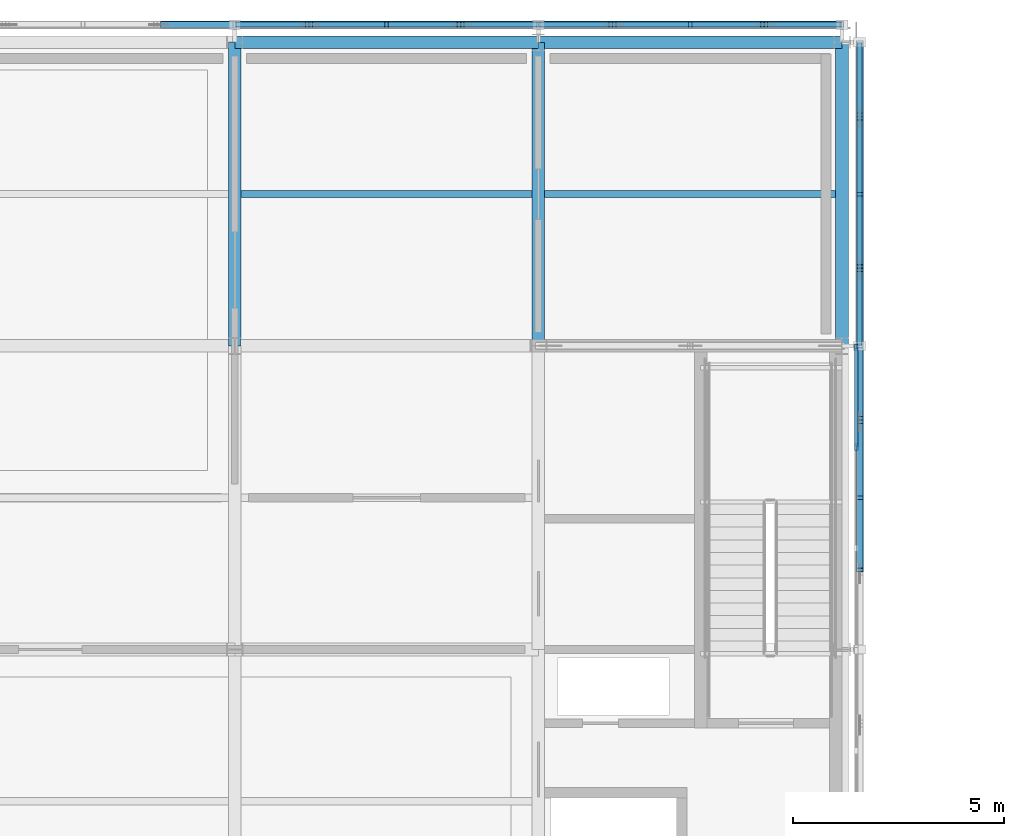
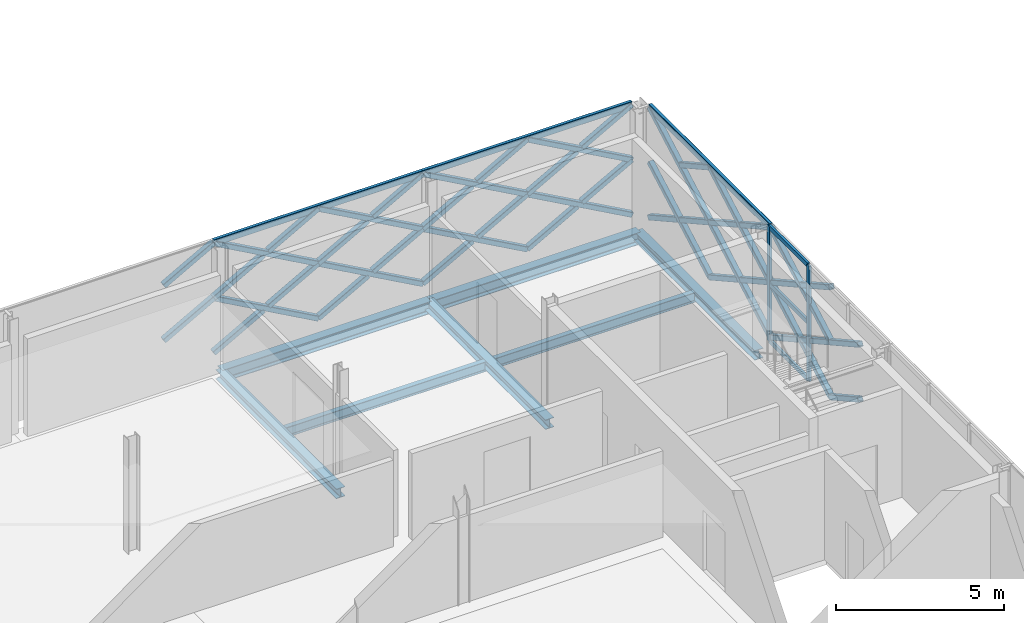
# One storey, part 55 of 126: 53 members, 7 beams, 1 element without a shape of its own.
"""IFC4 building model written with IfcOpenShell, lengths in metres."""

import ifcopenshell
import ifcopenshell.guid

model = None  # the IFC model being written
_history = None  # IfcOwnerHistory: only IFC2X3 demands one
_inside = {}  # id of a spatial element -> (the spatial element, [elements in it])
_under = {}  # id of a project, library or spatial element -> (it, [spatial elements below it])
_declared = {}  # id of a project -> (the project, [libraries it declares])
_typed = {}  # id of a type object -> (the type object, [elements of that type])
_made_of = {}  # id of a material, layer set ... -> (it, [elements and type objects made of it])


def new_model(schema):
    """Start an empty IFC model of exactly this schema.

    Asked for "IFC4X3", IfcOpenShell would pick the latest addendum, in which some entities
    have other attributes; the version numbers below select the first issue.
    IFC2X3 requires an IfcOwnerHistory on every rooted entity: one is made here for all.
    """
    global model, _history
    if schema == "IFC4X3":
        model = ifcopenshell.file(schema_version=(4, 3, 0, 0))
    else:
        model = ifcopenshell.file(schema=schema)
    _inside.clear()
    _under.clear()
    _declared.clear()
    _typed.clear()
    _made_of.clear()
    _history = None
    if model.schema == "IFC2X3":
        org = make("IfcOrganization", Name="unknown")
        user = make(
            "IfcPersonAndOrganization",
            ThePerson=make("IfcPerson", FamilyName="unknown"),
            TheOrganization=org,
        )
        app = make(
            "IfcApplication",
            ApplicationDeveloper=org,
            Version="unknown",
            ApplicationFullName="unknown",
            ApplicationIdentifier="unknown",
        )
        _history = make(
            "IfcOwnerHistory",
            OwningUser=user,
            OwningApplication=app,
            ChangeAction="ADDED",
            CreationDate=0,
        )
    return model


def make(cls, **values):
    """One entity of the class cls with the attributes given. An attribute that is None is left unset."""
    return model.create_entity(
        cls, **{name: value for name, value in values.items() if value is not None}
    )


def rooted(cls, **values):
    """An entity with a GlobalId (a new one), such as an element, a storey or a relation."""
    return make(cls, GlobalId=ifcopenshell.guid.new(), OwnerHistory=_history, **values)


def si_unit(unit_type, name, prefix=None):
    """IfcSIUnit, for example si_unit("LENGTHUNIT", "METRE", prefix="MILLI")."""
    return make("IfcSIUnit", UnitType=unit_type, Prefix=prefix, Name=name)


def assignment(units):
    """IfcUnitAssignment: the units of a project."""
    return None if units is None else make("IfcUnitAssignment", Units=units)


def point(xyz):
    """IfcCartesianPoint."""
    return None if xyz is None else make("IfcCartesianPoint", Coordinates=xyz)


def direction(xyz):
    """IfcDirection."""
    return None if xyz is None else make("IfcDirection", DirectionRatios=xyz)


def frame(location, z_axis=None, x_axis=None):
    """IfcAxis2Placement3D, a coordinate frame: its origin and axes. An axis left out is left unset."""
    return make(
        "IfcAxis2Placement3D",
        Location=point(location),
        Axis=direction(z_axis),
        RefDirection=direction(x_axis),
    )


def frame_2d(location, x_axis=None):
    """IfcAxis2Placement2D, a coordinate frame in the plane: its origin and x axis."""
    return make(
        "IfcAxis2Placement2D", Location=point(location), RefDirection=direction(x_axis)
    )


def origin():
    """The frame at (0, 0, 0) with its axes left unset."""
    return frame((0.0, 0.0, 0.0))


def origin_2d():
    """The frame at (0, 0) in the plane with its x axis left unset."""
    return frame_2d((0.0, 0.0))


def place(relative_to, where):
    """IfcLocalPlacement: puts the frame where relative to a parent placement (None: the world)."""
    return make(
        "IfcLocalPlacement", PlacementRelTo=relative_to, RelativePlacement=where
    )


def context(
    kind, dimensions, precision=None, world=None, true_north=None, identifier=None
):
    """IfcGeometricRepresentationContext, for example the 3D "Model" context."""
    return make(
        "IfcGeometricRepresentationContext",
        ContextIdentifier=identifier,
        ContextType=kind,
        CoordinateSpaceDimension=dimensions,
        Precision=precision,
        WorldCoordinateSystem=world,
        TrueNorth=true_north,
    )


def subcontext(parent, identifier, kind, view, scale=None):
    """IfcGeometricRepresentationSubContext, for example "Body" below "Model"."""
    return make(
        "IfcGeometricRepresentationSubContext",
        ContextIdentifier=identifier,
        ContextType=kind,
        ParentContext=parent,
        TargetScale=scale,
        TargetView=view,
    )


def project(units=None, contexts=None):
    """IfcProject with its units and contexts."""
    return rooted(
        "IfcProject",
        Name="project",
        RepresentationContexts=contexts,
        UnitsInContext=assignment(units),
    )


def spatial(cls, under=None, at=None, **own):
    """A site, building, storey or space (cls), placed at a placement, below another one or the project."""
    s = rooted(cls, ObjectPlacement=at, **own)
    if under is not None:
        _under.setdefault(under.id(), (under, []))[1].append(s)
    return s


def profile(cls, at=None, kind="AREA", **sizes):
    """A parametric profile (cls). Its sizes go by their IFC names, for example OverallWidth=200.0."""
    return make(cls, ProfileType=kind, Position=at, **sizes)


def rectangle(**sizes):
    """IfcRectangleProfileDef."""
    return profile("IfcRectangleProfileDef", **sizes)


def hollow_rectangle(**sizes):
    """IfcRectangleHollowProfileDef."""
    return profile("IfcRectangleHollowProfileDef", **sizes)


def i_section(**sizes):
    """IfcIShapeProfileDef."""
    return profile("IfcIShapeProfileDef", **sizes)


def extrude(swept, where, along, depth):
    """IfcExtrudedAreaSolid: the profile swept, set in the frame where, extruded along a direction by depth."""
    return make(
        "IfcExtrudedAreaSolid",
        SweptArea=swept,
        Position=where,
        ExtrudedDirection=direction(along),
        Depth=depth,
    )


def shape(context_of_items, identifier, shape_type, items):
    """IfcShapeRepresentation: the items that make up one representation, for example the "Body"."""
    return make(
        "IfcShapeRepresentation",
        ContextOfItems=context_of_items,
        RepresentationIdentifier=identifier,
        RepresentationType=shape_type,
        Items=items,
    )


def material(Name=None, Category=None):
    """IfcMaterial."""
    return make("IfcMaterial", Name=Name, Category=Category)


def material_profile(
    of_material, cross_section, Name=None, Category=None, Priority=None
):
    """IfcMaterialProfile: a cross section and its material."""
    return make(
        "IfcMaterialProfile",
        Name=Name,
        Material=of_material,
        Profile=cross_section,
        Priority=Priority,
        Category=Category,
    )


def profile_set(profiles, Name=None, composite=None):
    """IfcMaterialProfileSet."""
    return make(
        "IfcMaterialProfileSet",
        Name=Name,
        MaterialProfiles=profiles,
        CompositeProfile=composite,
    )


def made_of(thing, what):
    """Note that an element or type object is made of a material, layer set ...; save() writes the relation."""
    if what is not None:
        _made_of.setdefault(what.id(), (what, []))[1].append(thing)
    return thing


def type_object(cls, material=None, **own):
    """A type object (cls), such as IfcWallType, which elements share."""
    return made_of(rooted(cls, **own), material)


def element(
    cls,
    number,
    at=None,
    inside=None,
    cuts=None,
    type_object=None,
    material=None,
    context=None,
    identifier="Body",
    shape_type=None,
    held_by="IfcProductDefinitionShape",
    body=None,
    shapes=None,
    **own,
):
    """One element of the class cls, such as IfcWall. Its Tag is "e" and its number.

    at: its placement. inside: the storey or other place that contains it. cuts: it is an
    opening in that element (IfcRelVoidsElement). A single representation is given by context,
    identifier, shape_type and body (its items); several are given by shapes. held_by: the class
    of the entity that holds the representations. save() writes the other relations.
    """
    e = rooted(cls, Tag="e%d" % number, ObjectPlacement=at, **own)
    if body is not None:
        shapes = [shape(context, identifier, shape_type, body)]
    if shapes is not None:
        e.Representation = make(held_by, Representations=shapes)
    if inside is not None:
        _inside.setdefault(inside.id(), (inside, []))[1].append(e)
    if cuts is not None:
        rooted(
            "IfcRelVoidsElement", RelatingBuildingElement=cuts, RelatedOpeningElement=e
        )
    if type_object is not None:
        _typed.setdefault(type_object.id(), (type_object, []))[1].append(e)
    return made_of(e, material)


def aggregate(whole, parts):
    """IfcRelAggregates: a whole, such as a stair, and the parts it consists of."""
    return rooted("IfcRelAggregates", RelatingObject=whole, RelatedObjects=parts)


def save(model, path):
    """Write the relations noted so far, then the file.

    IfcRelAggregates (storeys below a building ...), IfcRelContainedInSpatialStructure (elements
    in a storey), IfcRelDefinesByType, IfcRelAssociatesMaterial and IfcRelDeclares: one each for
    every whole, place, type object, material and project.
    """
    for whole, parts in _under.values():
        aggregate(whole, parts)
    for where, things in _inside.values():
        rooted(
            "IfcRelContainedInSpatialStructure",
            RelatedElements=things,
            RelatingStructure=where,
        )
    for kind, things in _typed.values():
        rooted("IfcRelDefinesByType", RelatedObjects=things, RelatingType=kind)
    for what, things in _made_of.values():
        rooted("IfcRelAssociatesMaterial", RelatedObjects=things, RelatingMaterial=what)
    for by, libraries in _declared.values():
        rooted("IfcRelDeclares", RelatingContext=by, RelatedDefinitions=libraries)
    model.write(path)


model = new_model("IFC4")

# Units and contexts
model_context = context("Model", 3, precision=1e-05, world=origin(), true_north=direction((0.0, 1.0)))
body_context = subcontext(model_context, "Body", "Model", "MODEL_VIEW")
ifc_project = project(units=[si_unit("LENGTHUNIT", "METRE"), si_unit("AREAUNIT", "SQUARE_METRE"), si_unit("VOLUMEUNIT", "CUBIC_METRE"), si_unit("PLANEANGLEUNIT", "RADIAN"), si_unit("MASSUNIT", "GRAM", prefix="KILO")], contexts=[model_context])

# Site, building, storey
site_placement = place(None, origin())
site = spatial("IfcSite", under=ifc_project, at=site_placement, CompositionType="ELEMENT")
building_placement = place(site_placement, origin())
building = spatial("IfcBuilding", under=site, at=building_placement, Name="Zlatovets Crest Museum", CompositionType="ELEMENT")
storey_placement = place(building_placement, frame((0.0, 0.0, 8.699951171875)))
storey = spatial("IfcBuildingStorey", under=building, at=storey_placement, Name="L02", CompositionType="ELEMENT", Elevation=8.699951171875)

# Beams
ifc_material_1 = material(Name="Structural steel S355J2", Category="steel")
ifc_material_profile_1 = material_profile(ifc_material_1, i_section(OverallWidth=0.300048828125, OverallDepth=0.35009765625, WebThickness=0.010009765625, FlangeThickness=0.017578125, FilletRadius=0.027099609375, at=origin_2d()), Name="HEA 360")
ifc_profile_set_1 = profile_set([ifc_material_profile_1], Name="Structural steel S355J2")
beam_type_1 = type_object("IfcBeamType", Name="Beam_B-03", PredefinedType="BEAM", material=ifc_profile_set_1)
for number, where, z_axis, x_axis, name in (
    (1, (93.60009765625, 108.0, -0.39501953125), (0.0, 1.0, 0.0), (-1.0, 0.0, 0.0), "V1 L02 Grid Beam B-03"),
    (2, (100.800048828125, 108.0, -0.39501953125), (0.0, 1.0, 0.0), (-1.0, 0.0, 0.0), "V1 L02 Grid Beam B-03"),
    (3, (108.0, 108.0, -0.39501953125), (0.0, 1.0, 0.0), (-1.0, 0.0, 0.0), "V1 L02 Grid Beam B-03"),
):
    element("IfcBeam", number, at=place(storey_placement, frame(where, z_axis=z_axis, x_axis=x_axis)), inside=storey, type_object=beam_type_1, Name=name, PredefinedType="BEAM", context=body_context, shape_type="SweptSolid", body=[
        extrude(i_section(OverallWidth=0.300048828125, OverallDepth=0.35009765625, WebThickness=0.010009765625, FlangeThickness=0.017578125, FilletRadius=0.027099609375, at=origin_2d()), origin(), (0.0, 0.0, 1.0), 7.199951171875),
    ])
ifc_material_profile_2 = material_profile(ifc_material_1, i_section(OverallWidth=0.300048828125, OverallDepth=0.43994140625, WebThickness=0.011474609375, FlangeThickness=0.02099609375, FilletRadius=0.027099609375, at=origin_2d()), Name="HEA 450")
ifc_profile_set_2 = profile_set([ifc_material_profile_2], Name="Structural steel S355J2")
beam_type_2 = type_object("IfcBeamType", Name="Beam_B-10", PredefinedType="BEAM", material=ifc_profile_set_2)
for number, where, z_axis, x_axis, name in (
    (4, (93.60009765625, 115.199951171875, -0.43994140625), (1.0, 0.0, 0.0), (0.0, 1.0, 0.0), "V1 L02 Primary Girder B-10"),
    (5, (100.800048828125, 115.199951171875, -0.43994140625), (1.0, 0.0, 0.0), (0.0, 1.0, 0.0), "V1 L02 Primary Girder B-10"),
):
    element("IfcBeam", number, at=place(storey_placement, frame(where, z_axis=z_axis, x_axis=x_axis)), inside=storey, type_object=beam_type_2, Name=name, PredefinedType="BEAM", context=body_context, shape_type="SweptSolid", body=[
        extrude(i_section(OverallWidth=0.300048828125, OverallDepth=0.43994140625, WebThickness=0.011474609375, FlangeThickness=0.02099609375, FilletRadius=0.027099609375, at=origin_2d()), origin(), (0.0, 0.0, 1.0), 7.199951171875),
    ])
ifc_material_profile_3 = material_profile(ifc_material_1, i_section(OverallWidth=0.169921875, OverallDepth=0.360107421875, WebThickness=0.008056640625, FlangeThickness=0.0126953125, FilletRadius=0.01806640625, at=origin_2d()), Name="IPE 360")
ifc_profile_set_3 = profile_set([ifc_material_profile_3], Name="Structural steel S355J2")
beam_type_3 = type_object("IfcBeamType", Name="Beam_J-01", PredefinedType="JOIST", material=ifc_profile_set_3)
beam_1_placement = place(storey_placement, frame((93.75, 111.60009765625, -0.39990234375), z_axis=(1.0, 0.0, 0.0), x_axis=(0.0, 1.0, 0.0)))
element("IfcBeam", 6, at=beam_1_placement, inside=storey, type_object=beam_type_3, Name="V1 L02 Composite Joist J-01", PredefinedType="JOIST", context=body_context, shape_type="SweptSolid", body=[
    extrude(i_section(OverallWidth=0.169921875, OverallDepth=0.360107421875, WebThickness=0.008056640625, FlangeThickness=0.0126953125, FilletRadius=0.01806640625, at=origin_2d()), origin(), (0.0, 0.0, 1.0), 6.89990234375),
])
beam_2_placement = place(storey_placement, frame((100.949951171875, 111.60009765625, -0.39990234375), z_axis=(1.0, 0.0, 0.0), x_axis=(0.0, 1.0, 0.0)))
element("IfcBeam", 7, at=beam_2_placement, inside=storey, type_object=beam_type_3, Name="V1 L02 Composite Joist J-01", PredefinedType="JOIST", context=body_context, shape_type="SweptSolid", body=[
    extrude(i_section(OverallWidth=0.169921875, OverallDepth=0.360107421875, WebThickness=0.008056640625, FlangeThickness=0.0126953125, FilletRadius=0.01806640625, at=origin_2d()), origin(), (0.0, 0.0, 1.0), 6.900146484375),
])

# Curtain wall, members
ifc_material_2 = material(Name="Bronze-anodised aluminium and low-E triple glass", Category="aluminium")
curtain_wall_type = type_object("IfcCurtainWallType", Name="CW_CW-V1-L02-M1", PredefinedType="NOTDEFINED", material=ifc_material_2)
curtain_wall_placement = place(storey_placement, origin())
curtain_wall = element("IfcCurtainWall", 8, at=curtain_wall_placement, inside=storey, type_object=curtain_wall_type, Name="V1 L02 Expressed Core Glazed Facade", PredefinedType="NOTDEFINED")
ifc_material_3 = material(Name="Bronze-anodised aluminium EN AW-6060", Category="aluminium")
ifc_material_profile_4 = material_profile(ifc_material_3, rectangle(XDim=0.080078125, YDim=0.159912109375, at=origin_2d()), Name="ALU 80x160")
ifc_profile_set_4 = profile_set([ifc_material_profile_4], Name="Bronze-anodised aluminium EN AW-6060")
member_type_1 = type_object("IfcMemberType", Name="CWMull_M1", PredefinedType="MULLION", material=ifc_profile_set_4)
member_1_placement = place(storey_placement, frame((108.340087890625, 105.60009765625, 0.0), z_axis=(0.0, 0.0, 1.0), x_axis=(-1.0, 0.0, 0.0)))
member_1 = element("IfcMember", 9, at=member_1_placement, type_object=member_type_1, Name="CW-V1-L02-M1 mullion 3", PredefinedType="MULLION", context=body_context, shape_type="SweptSolid", body=[
    extrude(rectangle(XDim=0.080078125, YDim=0.159912109375, at=origin_2d()), origin(), (0.0, 0.0, 1.0), 4.199951171875),
])
member_2_placement = place(storey_placement, frame((108.340087890625, 107.969970703125, 0.0), z_axis=(0.0, 0.0, 1.0), x_axis=(-1.0, 0.0, 0.0)))
member_2 = element("IfcMember", 10, at=member_2_placement, type_object=member_type_1, Name="CW-V1-L02-M1 mullion 4", PredefinedType="MULLION", context=body_context, shape_type="SweptSolid", body=[
    extrude(rectangle(XDim=0.080078125, YDim=0.159912109375, at=origin_2d()), origin(), (0.0, 0.0, 1.0), 4.199951171875),
])
ifc_material_profile_5 = material_profile(ifc_material_3, rectangle(XDim=0.080078125, YDim=0.159912109375, at=origin_2d()), Name="ALU 80x160")
ifc_profile_set_5 = profile_set([ifc_material_profile_5], Name="Bronze-anodised aluminium EN AW-6060")
member_type_2 = type_object("IfcMemberType", Name="CWTrans_T1", PredefinedType="USERDEFINED", material=ifc_profile_set_5)
member_3_placement = place(storey_placement, frame((108.340087890625, 105.6298828125, 0.030029296875), z_axis=(0.0, 1.0, 0.0), x_axis=(-1.0, 0.0, 0.0)))
member_3 = element("IfcMember", 11, at=member_3_placement, type_object=member_type_2, Name="CW-V1-L02-M1 transom 3.1", ObjectType="TRANSOM", PredefinedType="USERDEFINED", context=body_context, shape_type="SweptSolid", body=[
    extrude(rectangle(XDim=0.080078125, YDim=0.159912109375, at=origin_2d()), origin(), (0.0, 0.0, 1.0), 2.31005859375),
])
member_4_placement = place(storey_placement, frame((108.340087890625, 105.6298828125, 2.10009765625), z_axis=(0.0, 1.0, 0.0), x_axis=(-1.0, 0.0, 0.0)))
member_4 = element("IfcMember", 12, at=member_4_placement, type_object=member_type_2, Name="CW-V1-L02-M1 transom 3.2", ObjectType="TRANSOM", PredefinedType="USERDEFINED", context=body_context, shape_type="SweptSolid", body=[
    extrude(rectangle(XDim=0.080078125, YDim=0.159912109375, at=origin_2d()), origin(), (0.0, 0.0, 1.0), 2.31005859375),
])
member_5_placement = place(storey_placement, frame((108.340087890625, 105.6298828125, 4.170166015625), z_axis=(0.0, 1.0, 0.0), x_axis=(-1.0, 0.0, 0.0)))
member_5 = element("IfcMember", 13, at=member_5_placement, type_object=member_type_2, Name="CW-V1-L02-M1 transom 3.3", ObjectType="TRANSOM", PredefinedType="USERDEFINED", context=body_context, shape_type="SweptSolid", body=[
    extrude(rectangle(XDim=0.080078125, YDim=0.159912109375, at=origin_2d()), origin(), (0.0, 0.0, 1.0), 2.31005859375),
])
aggregate(curtain_wall, [member_1, member_2, member_3, member_4, member_5])

# Members
ifc_material_4 = material(Name="Weathering bronze-steel S355J2W", Category="steel")
ifc_material_profile_6 = material_profile(ifc_material_4, hollow_rectangle(XDim=0.179931640625, YDim=0.179931640625, WallThickness=0.010009765625, InnerFilletRadius=0.010009765625, OuterFilletRadius=0.02001953125, at=origin_2d()), Name="SHS 180x180x10.0")
ifc_profile_set_6 = profile_set([ifc_material_profile_6], Name="Weathering bronze-steel S355J2W")
member_type_3 = type_object("IfcMemberType", Name="Lattice_XL-01", PredefinedType="BRACE", material=ifc_profile_set_6)
member_6_placement = place(storey_placement, frame((108.419921875, 102.68310546875, 1.053955078125), z_axis=(0.0, 0.874139684676, -0.48567459443), x_axis=(-1.0, 0.0, 0.0)))
element("IfcMember", 14, at=member_6_placement, inside=storey, type_object=member_type_3, Name="Split Crossing Bronze Lattice Diagonal Lower", PredefinedType="BRACE", context=body_context, shape_type="SweptSolid", body=[
    extrude(hollow_rectangle(XDim=0.179931640625, YDim=0.179931640625, WallThickness=0.010009765625, InnerFilletRadius=0.010009765625, OuterFilletRadius=0.02001953125, at=origin_2d()), origin(), (0.0, 0.0, 1.0), 1.9638671875),
])
member_7_placement = place(storey_placement, frame((108.419921875, 104.39990234375, 0.10009765625), z_axis=(0.0, 0.874162868644, 0.485632864501), x_axis=(-1.0, 0.0, 0.0)))
element("IfcMember", 15, at=member_7_placement, inside=storey, type_object=member_type_3, Name="Continuous Bronze Lattice Diagonal", PredefinedType="BRACE", context=body_context, shape_type="SweptSolid", body=[
    extrude(hollow_rectangle(XDim=0.179931640625, YDim=0.179931640625, WallThickness=0.010009765625, InnerFilletRadius=0.010009765625, OuterFilletRadius=0.02001953125, at=origin_2d()), origin(), (0.0, 0.0, 1.0), 4.118408203125),
])
for number, where, z_axis, x_axis, name in (
    (16, (108.419921875, 104.39990234375, 2.10009765625), (0.0, 0.874169001841, -0.485621824284), (-1.0, 0.0, 0.0), "Split Crossing Bronze Lattice Diagonal Upper"),
    (17, (108.419921875, 106.282958984375, 1.053955078125), (0.0, 0.874169001841, -0.485621824284), (-1.0, 0.0, 0.0), "Split Crossing Bronze Lattice Diagonal Lower"),
):
    element("IfcMember", number, at=place(storey_placement, frame(where, z_axis=z_axis, x_axis=x_axis)), inside=storey, type_object=member_type_3, Name=name, PredefinedType="BRACE", context=body_context, shape_type="SweptSolid", body=[
        extrude(hollow_rectangle(XDim=0.179931640625, YDim=0.179931640625, WallThickness=0.010009765625, InnerFilletRadius=0.010009765625, OuterFilletRadius=0.02001953125, at=origin_2d()), origin(), (0.0, 0.0, 1.0), 1.964111328125),
    ])
member_8_placement = place(storey_placement, frame((108.419921875, 102.68310546875, 3.053955078125), z_axis=(0.0, 0.874139684676, -0.48567459443), x_axis=(-1.0, 0.0, 0.0)))
element("IfcMember", 18, at=member_8_placement, inside=storey, type_object=member_type_3, Name="Split Crossing Bronze Lattice Diagonal Lower", PredefinedType="BRACE", context=body_context, shape_type="SweptSolid", body=[
    extrude(hollow_rectangle(XDim=0.179931640625, YDim=0.179931640625, WallThickness=0.010009765625, InnerFilletRadius=0.010009765625, OuterFilletRadius=0.02001953125, at=origin_2d()), origin(), (0.0, 0.0, 1.0), 1.9638671875),
])
member_9_placement = place(storey_placement, frame((108.419921875, 104.39990234375, 2.10009765625), z_axis=(0.0, 0.874162868644, 0.485632864501), x_axis=(-1.0, 0.0, 0.0)))
element("IfcMember", 19, at=member_9_placement, inside=storey, type_object=member_type_3, Name="Continuous Bronze Lattice Diagonal", PredefinedType="BRACE", context=body_context, shape_type="SweptSolid", body=[
    extrude(hollow_rectangle(XDim=0.179931640625, YDim=0.179931640625, WallThickness=0.010009765625, InnerFilletRadius=0.010009765625, OuterFilletRadius=0.02001953125, at=origin_2d()), origin(), (0.0, 0.0, 1.0), 4.118408203125),
])
for number, where, z_axis, x_axis, name in (
    (20, (108.419921875, 104.39990234375, 4.10009765625), (0.0, 0.874169001841, -0.485621824284), (-1.0, 0.0, 0.0), "Split Crossing Bronze Lattice Diagonal Upper"),
    (21, (108.419921875, 106.282958984375, 3.053955078125), (0.0, 0.874169001841, -0.485621824284), (-1.0, 0.0, 0.0), "Split Crossing Bronze Lattice Diagonal Lower"),
):
    element("IfcMember", number, at=place(storey_placement, frame(where, z_axis=z_axis, x_axis=x_axis)), inside=storey, type_object=member_type_3, Name=name, PredefinedType="BRACE", context=body_context, shape_type="SweptSolid", body=[
        extrude(hollow_rectangle(XDim=0.179931640625, YDim=0.179931640625, WallThickness=0.010009765625, InnerFilletRadius=0.010009765625, OuterFilletRadius=0.02001953125, at=origin_2d()), origin(), (0.0, 0.0, 1.0), 1.964111328125),
    ])
member_10_placement = place(storey_placement, frame((108.419921875, 108.0, 0.10009765625), z_axis=(0.0, 0.874162868644, 0.485632864501), x_axis=(-1.0, 0.0, 0.0)))
element("IfcMember", 22, at=member_10_placement, inside=storey, type_object=member_type_3, Name="Continuous Bronze Lattice Diagonal", PredefinedType="BRACE", context=body_context, shape_type="SweptSolid", body=[
    extrude(hollow_rectangle(XDim=0.179931640625, YDim=0.179931640625, WallThickness=0.010009765625, InnerFilletRadius=0.010009765625, OuterFilletRadius=0.02001953125, at=origin_2d()), origin(), (0.0, 0.0, 1.0), 4.118408203125),
])
for number, where, z_axis, x_axis, name in (
    (23, (108.419921875, 108.0, 2.10009765625), (0.0, 0.874169001841, -0.485621824284), (-1.0, 0.0, 0.0), "Split Crossing Bronze Lattice Diagonal Upper"),
    (24, (108.419921875, 109.883056640625, 1.053955078125), (0.0, 0.874169001841, -0.485621824284), (-1.0, 0.0, 0.0), "Split Crossing Bronze Lattice Diagonal Lower"),
):
    element("IfcMember", number, at=place(storey_placement, frame(where, z_axis=z_axis, x_axis=x_axis)), inside=storey, type_object=member_type_3, Name=name, PredefinedType="BRACE", context=body_context, shape_type="SweptSolid", body=[
        extrude(hollow_rectangle(XDim=0.179931640625, YDim=0.179931640625, WallThickness=0.010009765625, InnerFilletRadius=0.010009765625, OuterFilletRadius=0.02001953125, at=origin_2d()), origin(), (0.0, 0.0, 1.0), 1.964111328125),
    ])
member_11_placement = place(storey_placement, frame((108.419921875, 111.60009765625, 0.10009765625), z_axis=(0.0, 0.874148886685, 0.485658031857), x_axis=(-1.0, 0.0, 0.0)))
element("IfcMember", 25, at=member_11_placement, inside=storey, type_object=member_type_3, Name="Continuous Bronze Lattice Diagonal", PredefinedType="BRACE", context=body_context, shape_type="SweptSolid", body=[
    extrude(hollow_rectangle(XDim=0.179931640625, YDim=0.179931640625, WallThickness=0.010009765625, InnerFilletRadius=0.010009765625, OuterFilletRadius=0.02001953125, at=origin_2d()), origin(), (0.0, 0.0, 1.0), 4.1181640625),
])
member_12_placement = place(storey_placement, frame((108.419921875, 111.60009765625, 2.10009765625), z_axis=(0.0, 0.874139684676, -0.48567459443), x_axis=(-1.0, 0.0, 0.0)))
element("IfcMember", 26, at=member_12_placement, inside=storey, type_object=member_type_3, Name="Split Crossing Bronze Lattice Diagonal Upper", PredefinedType="BRACE", context=body_context, shape_type="SweptSolid", body=[
    extrude(hollow_rectangle(XDim=0.179931640625, YDim=0.179931640625, WallThickness=0.010009765625, InnerFilletRadius=0.010009765625, OuterFilletRadius=0.02001953125, at=origin_2d()), origin(), (0.0, 0.0, 1.0), 1.9638671875),
])
member_13_placement = place(storey_placement, frame((108.419921875, 113.48291015625, 1.053955078125), z_axis=(0.0, 0.874169001841, -0.485621824284), x_axis=(-1.0, 0.0, 0.0)))
element("IfcMember", 27, at=member_13_placement, inside=storey, type_object=member_type_3, Name="Split Crossing Bronze Lattice Diagonal Lower", PredefinedType="BRACE", context=body_context, shape_type="SweptSolid", body=[
    extrude(hollow_rectangle(XDim=0.179931640625, YDim=0.179931640625, WallThickness=0.010009765625, InnerFilletRadius=0.010009765625, OuterFilletRadius=0.02001953125, at=origin_2d()), origin(), (0.0, 0.0, 1.0), 1.964111328125),
])
member_14_placement = place(storey_placement, frame((108.419921875, 108.0, 2.10009765625), z_axis=(0.0, 0.874162868644, 0.485632864501), x_axis=(-1.0, 0.0, 0.0)))
element("IfcMember", 28, at=member_14_placement, inside=storey, type_object=member_type_3, Name="Continuous Bronze Lattice Diagonal", PredefinedType="BRACE", context=body_context, shape_type="SweptSolid", body=[
    extrude(hollow_rectangle(XDim=0.179931640625, YDim=0.179931640625, WallThickness=0.010009765625, InnerFilletRadius=0.010009765625, OuterFilletRadius=0.02001953125, at=origin_2d()), origin(), (0.0, 0.0, 1.0), 4.118408203125),
])
for number, where, z_axis, x_axis, name in (
    (29, (108.419921875, 108.0, 4.10009765625), (0.0, 0.874169001841, -0.485621824284), (-1.0, 0.0, 0.0), "Split Crossing Bronze Lattice Diagonal Upper"),
    (30, (108.419921875, 109.883056640625, 3.053955078125), (0.0, 0.874169001841, -0.485621824284), (-1.0, 0.0, 0.0), "Split Crossing Bronze Lattice Diagonal Lower"),
):
    element("IfcMember", number, at=place(storey_placement, frame(where, z_axis=z_axis, x_axis=x_axis)), inside=storey, type_object=member_type_3, Name=name, PredefinedType="BRACE", context=body_context, shape_type="SweptSolid", body=[
        extrude(hollow_rectangle(XDim=0.179931640625, YDim=0.179931640625, WallThickness=0.010009765625, InnerFilletRadius=0.010009765625, OuterFilletRadius=0.02001953125, at=origin_2d()), origin(), (0.0, 0.0, 1.0), 1.964111328125),
    ])
member_15_placement = place(storey_placement, frame((108.419921875, 111.60009765625, 2.10009765625), z_axis=(0.0, 0.874148886685, 0.485658031857), x_axis=(-1.0, 0.0, 0.0)))
element("IfcMember", 31, at=member_15_placement, inside=storey, type_object=member_type_3, Name="Continuous Bronze Lattice Diagonal", PredefinedType="BRACE", context=body_context, shape_type="SweptSolid", body=[
    extrude(hollow_rectangle(XDim=0.179931640625, YDim=0.179931640625, WallThickness=0.010009765625, InnerFilletRadius=0.010009765625, OuterFilletRadius=0.02001953125, at=origin_2d()), origin(), (0.0, 0.0, 1.0), 4.1181640625),
])
member_16_placement = place(storey_placement, frame((108.419921875, 111.60009765625, 4.10009765625), z_axis=(0.0, 0.874139684676, -0.48567459443), x_axis=(-1.0, 0.0, 0.0)))
element("IfcMember", 32, at=member_16_placement, inside=storey, type_object=member_type_3, Name="Split Crossing Bronze Lattice Diagonal Upper", PredefinedType="BRACE", context=body_context, shape_type="SweptSolid", body=[
    extrude(hollow_rectangle(XDim=0.179931640625, YDim=0.179931640625, WallThickness=0.010009765625, InnerFilletRadius=0.010009765625, OuterFilletRadius=0.02001953125, at=origin_2d()), origin(), (0.0, 0.0, 1.0), 1.9638671875),
])
member_17_placement = place(storey_placement, frame((108.0, 115.6201171875, 0.10009765625), z_axis=(-0.874162868644, 0.0, 0.485632864501), x_axis=(0.0, -1.0, 0.0)))
element("IfcMember", 33, at=member_17_placement, inside=storey, type_object=member_type_3, Name="Continuous Bronze Lattice Diagonal", PredefinedType="BRACE", context=body_context, shape_type="SweptSolid", body=[
    extrude(hollow_rectangle(XDim=0.179931640625, YDim=0.179931640625, WallThickness=0.010009765625, InnerFilletRadius=0.010009765625, OuterFilletRadius=0.02001953125, at=origin_2d()), origin(), (0.0, 0.0, 1.0), 4.118408203125),
])
for number, where, z_axis, x_axis, name in (
    (34, (108.0, 115.6201171875, 2.10009765625), (-0.874169001841, 0.0, -0.485621824284), (0.0, -1.0, 0.0), "Split Crossing Bronze Lattice Diagonal Upper"),
    (35, (106.116943359375, 115.6201171875, 1.053955078125), (-0.874169001841, 0.0, -0.485621824284), (0.0, -1.0, 0.0), "Split Crossing Bronze Lattice Diagonal Lower"),
):
    element("IfcMember", number, at=place(storey_placement, frame(where, z_axis=z_axis, x_axis=x_axis)), inside=storey, type_object=member_type_3, Name=name, PredefinedType="BRACE", context=body_context, shape_type="SweptSolid", body=[
        extrude(hollow_rectangle(XDim=0.179931640625, YDim=0.179931640625, WallThickness=0.010009765625, InnerFilletRadius=0.010009765625, OuterFilletRadius=0.02001953125, at=origin_2d()), origin(), (0.0, 0.0, 1.0), 1.964111328125),
    ])
member_18_placement = place(storey_placement, frame((104.39990234375, 115.6201171875, 0.10009765625), z_axis=(-0.874148886685, 0.0, 0.485658031857), x_axis=(0.0, -1.0, 0.0)))
element("IfcMember", 36, at=member_18_placement, inside=storey, type_object=member_type_3, Name="Continuous Bronze Lattice Diagonal", PredefinedType="BRACE", context=body_context, shape_type="SweptSolid", body=[
    extrude(hollow_rectangle(XDim=0.179931640625, YDim=0.179931640625, WallThickness=0.010009765625, InnerFilletRadius=0.010009765625, OuterFilletRadius=0.02001953125, at=origin_2d()), origin(), (0.0, 0.0, 1.0), 4.1181640625),
])
member_19_placement = place(storey_placement, frame((104.39990234375, 115.6201171875, 2.10009765625), z_axis=(-0.874139684676, 0.0, -0.48567459443), x_axis=(0.0, -1.0, 0.0)))
element("IfcMember", 37, at=member_19_placement, inside=storey, type_object=member_type_3, Name="Split Crossing Bronze Lattice Diagonal Upper", PredefinedType="BRACE", context=body_context, shape_type="SweptSolid", body=[
    extrude(hollow_rectangle(XDim=0.179931640625, YDim=0.179931640625, WallThickness=0.010009765625, InnerFilletRadius=0.010009765625, OuterFilletRadius=0.02001953125, at=origin_2d()), origin(), (0.0, 0.0, 1.0), 1.9638671875),
])
member_20_placement = place(storey_placement, frame((102.51708984375, 115.6201171875, 1.053955078125), z_axis=(-0.874169001841, 0.0, -0.485621824284), x_axis=(0.0, -1.0, 0.0)))
element("IfcMember", 38, at=member_20_placement, inside=storey, type_object=member_type_3, Name="Split Crossing Bronze Lattice Diagonal Lower", PredefinedType="BRACE", context=body_context, shape_type="SweptSolid", body=[
    extrude(hollow_rectangle(XDim=0.179931640625, YDim=0.179931640625, WallThickness=0.010009765625, InnerFilletRadius=0.010009765625, OuterFilletRadius=0.02001953125, at=origin_2d()), origin(), (0.0, 0.0, 1.0), 1.964111328125),
])
member_21_placement = place(storey_placement, frame((108.0, 115.6201171875, 2.10009765625), z_axis=(-0.874162868644, 0.0, 0.485632864501), x_axis=(0.0, -1.0, 0.0)))
element("IfcMember", 39, at=member_21_placement, inside=storey, type_object=member_type_3, Name="Continuous Bronze Lattice Diagonal", PredefinedType="BRACE", context=body_context, shape_type="SweptSolid", body=[
    extrude(hollow_rectangle(XDim=0.179931640625, YDim=0.179931640625, WallThickness=0.010009765625, InnerFilletRadius=0.010009765625, OuterFilletRadius=0.02001953125, at=origin_2d()), origin(), (0.0, 0.0, 1.0), 4.118408203125),
])
for number, where, z_axis, x_axis, name in (
    (40, (108.0, 115.6201171875, 4.10009765625), (-0.874169001841, 0.0, -0.485621824284), (0.0, -1.0, 0.0), "Split Crossing Bronze Lattice Diagonal Upper"),
    (41, (106.116943359375, 115.6201171875, 3.053955078125), (-0.874169001841, 0.0, -0.485621824284), (0.0, -1.0, 0.0), "Split Crossing Bronze Lattice Diagonal Lower"),
):
    element("IfcMember", number, at=place(storey_placement, frame(where, z_axis=z_axis, x_axis=x_axis)), inside=storey, type_object=member_type_3, Name=name, PredefinedType="BRACE", context=body_context, shape_type="SweptSolid", body=[
        extrude(hollow_rectangle(XDim=0.179931640625, YDim=0.179931640625, WallThickness=0.010009765625, InnerFilletRadius=0.010009765625, OuterFilletRadius=0.02001953125, at=origin_2d()), origin(), (0.0, 0.0, 1.0), 1.964111328125),
    ])
member_22_placement = place(storey_placement, frame((104.39990234375, 115.6201171875, 2.10009765625), z_axis=(-0.874148886685, 0.0, 0.485658031857), x_axis=(0.0, -1.0, 0.0)))
element("IfcMember", 42, at=member_22_placement, inside=storey, type_object=member_type_3, Name="Continuous Bronze Lattice Diagonal", PredefinedType="BRACE", context=body_context, shape_type="SweptSolid", body=[
    extrude(hollow_rectangle(XDim=0.179931640625, YDim=0.179931640625, WallThickness=0.010009765625, InnerFilletRadius=0.010009765625, OuterFilletRadius=0.02001953125, at=origin_2d()), origin(), (0.0, 0.0, 1.0), 4.1181640625),
])
member_23_placement = place(storey_placement, frame((104.39990234375, 115.6201171875, 4.10009765625), z_axis=(-0.874139684676, 0.0, -0.48567459443), x_axis=(0.0, -1.0, 0.0)))
element("IfcMember", 43, at=member_23_placement, inside=storey, type_object=member_type_3, Name="Split Crossing Bronze Lattice Diagonal Upper", PredefinedType="BRACE", context=body_context, shape_type="SweptSolid", body=[
    extrude(hollow_rectangle(XDim=0.179931640625, YDim=0.179931640625, WallThickness=0.010009765625, InnerFilletRadius=0.010009765625, OuterFilletRadius=0.02001953125, at=origin_2d()), origin(), (0.0, 0.0, 1.0), 1.9638671875),
])
member_24_placement = place(storey_placement, frame((102.51708984375, 115.6201171875, 3.053955078125), z_axis=(-0.874169001841, 0.0, -0.485621824284), x_axis=(0.0, -1.0, 0.0)))
element("IfcMember", 44, at=member_24_placement, inside=storey, type_object=member_type_3, Name="Split Crossing Bronze Lattice Diagonal Lower", PredefinedType="BRACE", context=body_context, shape_type="SweptSolid", body=[
    extrude(hollow_rectangle(XDim=0.179931640625, YDim=0.179931640625, WallThickness=0.010009765625, InnerFilletRadius=0.010009765625, OuterFilletRadius=0.02001953125, at=origin_2d()), origin(), (0.0, 0.0, 1.0), 1.964111328125),
])
member_25_placement = place(storey_placement, frame((100.800048828125, 115.6201171875, 0.10009765625), z_axis=(-0.874162868644, 0.0, 0.485632864501), x_axis=(0.0, -1.0, 0.0)))
element("IfcMember", 45, at=member_25_placement, inside=storey, type_object=member_type_3, Name="Continuous Bronze Lattice Diagonal", PredefinedType="BRACE", context=body_context, shape_type="SweptSolid", body=[
    extrude(hollow_rectangle(XDim=0.179931640625, YDim=0.179931640625, WallThickness=0.010009765625, InnerFilletRadius=0.010009765625, OuterFilletRadius=0.02001953125, at=origin_2d()), origin(), (0.0, 0.0, 1.0), 4.118408203125),
])
for number, where, z_axis, x_axis, name in (
    (46, (100.800048828125, 115.6201171875, 2.10009765625), (-0.874169001841, 0.0, -0.485621824284), (0.0, -1.0, 0.0), "Split Crossing Bronze Lattice Diagonal Upper"),
    (47, (98.9169921875, 115.6201171875, 1.053955078125), (-0.874169001841, 0.0, -0.485621824284), (0.0, -1.0, 0.0), "Split Crossing Bronze Lattice Diagonal Lower"),
):
    element("IfcMember", number, at=place(storey_placement, frame(where, z_axis=z_axis, x_axis=x_axis)), inside=storey, type_object=member_type_3, Name=name, PredefinedType="BRACE", context=body_context, shape_type="SweptSolid", body=[
        extrude(hollow_rectangle(XDim=0.179931640625, YDim=0.179931640625, WallThickness=0.010009765625, InnerFilletRadius=0.010009765625, OuterFilletRadius=0.02001953125, at=origin_2d()), origin(), (0.0, 0.0, 1.0), 1.964111328125),
    ])
member_26_placement = place(storey_placement, frame((97.199951171875, 115.6201171875, 0.10009765625), z_axis=(-0.874148886685, 0.0, 0.485658031857), x_axis=(0.0, -1.0, 0.0)))
element("IfcMember", 48, at=member_26_placement, inside=storey, type_object=member_type_3, Name="Continuous Bronze Lattice Diagonal", PredefinedType="BRACE", context=body_context, shape_type="SweptSolid", body=[
    extrude(hollow_rectangle(XDim=0.179931640625, YDim=0.179931640625, WallThickness=0.010009765625, InnerFilletRadius=0.010009765625, OuterFilletRadius=0.02001953125, at=origin_2d()), origin(), (0.0, 0.0, 1.0), 4.1181640625),
])
member_27_placement = place(storey_placement, frame((97.199951171875, 115.6201171875, 2.10009765625), z_axis=(-0.874169001841, 0.0, -0.485621824284), x_axis=(0.0, -1.0, 0.0)))
element("IfcMember", 49, at=member_27_placement, inside=storey, type_object=member_type_3, Name="Split Crossing Bronze Lattice Diagonal Upper", PredefinedType="BRACE", context=body_context, shape_type="SweptSolid", body=[
    extrude(hollow_rectangle(XDim=0.179931640625, YDim=0.179931640625, WallThickness=0.010009765625, InnerFilletRadius=0.010009765625, OuterFilletRadius=0.02001953125, at=origin_2d()), origin(), (0.0, 0.0, 1.0), 1.964111328125),
])
member_28_placement = place(storey_placement, frame((95.31689453125, 115.6201171875, 1.053955078125), z_axis=(-0.874139684676, 0.0, -0.48567459443), x_axis=(0.0, -1.0, 0.0)))
element("IfcMember", 50, at=member_28_placement, inside=storey, type_object=member_type_3, Name="Split Crossing Bronze Lattice Diagonal Lower", PredefinedType="BRACE", context=body_context, shape_type="SweptSolid", body=[
    extrude(hollow_rectangle(XDim=0.179931640625, YDim=0.179931640625, WallThickness=0.010009765625, InnerFilletRadius=0.010009765625, OuterFilletRadius=0.02001953125, at=origin_2d()), origin(), (0.0, 0.0, 1.0), 1.9638671875),
])
member_29_placement = place(storey_placement, frame((100.800048828125, 115.6201171875, 2.10009765625), z_axis=(-0.874162868644, 0.0, 0.485632864501), x_axis=(0.0, -1.0, 0.0)))
element("IfcMember", 51, at=member_29_placement, inside=storey, type_object=member_type_3, Name="Continuous Bronze Lattice Diagonal", PredefinedType="BRACE", context=body_context, shape_type="SweptSolid", body=[
    extrude(hollow_rectangle(XDim=0.179931640625, YDim=0.179931640625, WallThickness=0.010009765625, InnerFilletRadius=0.010009765625, OuterFilletRadius=0.02001953125, at=origin_2d()), origin(), (0.0, 0.0, 1.0), 4.118408203125),
])
for number, where, z_axis, x_axis, name in (
    (52, (100.800048828125, 115.6201171875, 4.10009765625), (-0.874169001841, 0.0, -0.485621824284), (0.0, -1.0, 0.0), "Split Crossing Bronze Lattice Diagonal Upper"),
    (53, (98.9169921875, 115.6201171875, 3.053955078125), (-0.874169001841, 0.0, -0.485621824284), (0.0, -1.0, 0.0), "Split Crossing Bronze Lattice Diagonal Lower"),
):
    element("IfcMember", number, at=place(storey_placement, frame(where, z_axis=z_axis, x_axis=x_axis)), inside=storey, type_object=member_type_3, Name=name, PredefinedType="BRACE", context=body_context, shape_type="SweptSolid", body=[
        extrude(hollow_rectangle(XDim=0.179931640625, YDim=0.179931640625, WallThickness=0.010009765625, InnerFilletRadius=0.010009765625, OuterFilletRadius=0.02001953125, at=origin_2d()), origin(), (0.0, 0.0, 1.0), 1.964111328125),
    ])
member_30_placement = place(storey_placement, frame((97.199951171875, 115.6201171875, 2.10009765625), z_axis=(-0.874148886685, 0.0, 0.485658031857), x_axis=(0.0, -1.0, 0.0)))
element("IfcMember", 54, at=member_30_placement, inside=storey, type_object=member_type_3, Name="Continuous Bronze Lattice Diagonal", PredefinedType="BRACE", context=body_context, shape_type="SweptSolid", body=[
    extrude(hollow_rectangle(XDim=0.179931640625, YDim=0.179931640625, WallThickness=0.010009765625, InnerFilletRadius=0.010009765625, OuterFilletRadius=0.02001953125, at=origin_2d()), origin(), (0.0, 0.0, 1.0), 4.1181640625),
])
member_31_placement = place(storey_placement, frame((97.199951171875, 115.6201171875, 4.10009765625), z_axis=(-0.874169001841, 0.0, -0.485621824284), x_axis=(0.0, -1.0, 0.0)))
element("IfcMember", 55, at=member_31_placement, inside=storey, type_object=member_type_3, Name="Split Crossing Bronze Lattice Diagonal Upper", PredefinedType="BRACE", context=body_context, shape_type="SweptSolid", body=[
    extrude(hollow_rectangle(XDim=0.179931640625, YDim=0.179931640625, WallThickness=0.010009765625, InnerFilletRadius=0.010009765625, OuterFilletRadius=0.02001953125, at=origin_2d()), origin(), (0.0, 0.0, 1.0), 1.964111328125),
])
member_32_placement = place(storey_placement, frame((95.31689453125, 115.6201171875, 3.053955078125), z_axis=(-0.874139684676, 0.0, -0.48567459443), x_axis=(0.0, -1.0, 0.0)))
element("IfcMember", 56, at=member_32_placement, inside=storey, type_object=member_type_3, Name="Split Crossing Bronze Lattice Diagonal Lower", PredefinedType="BRACE", context=body_context, shape_type="SweptSolid", body=[
    extrude(hollow_rectangle(XDim=0.179931640625, YDim=0.179931640625, WallThickness=0.010009765625, InnerFilletRadius=0.010009765625, OuterFilletRadius=0.02001953125, at=origin_2d()), origin(), (0.0, 0.0, 1.0), 1.9638671875),
])
for number, where, z_axis, x_axis, name in (
    (57, (93.60009765625, 115.6201171875, 2.10009765625), (-0.874169001841, 0.0, -0.485621824284), (0.0, -1.0, 0.0), "Split Crossing Bronze Lattice Diagonal Upper"),
    (58, (93.60009765625, 115.6201171875, 4.10009765625), (-0.874169001841, 0.0, -0.485621824284), (0.0, -1.0, 0.0), "Split Crossing Bronze Lattice Diagonal Upper"),
):
    element("IfcMember", number, at=place(storey_placement, frame(where, z_axis=z_axis, x_axis=x_axis)), inside=storey, type_object=member_type_3, Name=name, PredefinedType="BRACE", context=body_context, shape_type="SweptSolid", body=[
        extrude(hollow_rectangle(XDim=0.179931640625, YDim=0.179931640625, WallThickness=0.010009765625, InnerFilletRadius=0.010009765625, OuterFilletRadius=0.02001953125, at=origin_2d()), origin(), (0.0, 0.0, 1.0), 1.964111328125),
    ])
ifc_material_profile_7 = material_profile(ifc_material_4, hollow_rectangle(XDim=0.1201171875, YDim=0.239990234375, WallThickness=0.010009765625, InnerFilletRadius=0.010009765625, OuterFilletRadius=0.02001953125, at=origin_2d()), Name="RHS 120x240x10.0")
ifc_profile_set_7 = profile_set([ifc_material_profile_7], Name="Weathering bronze-steel S355J2W")
member_type_4 = type_object("IfcMemberType", Name="Lattice_XL-04", PredefinedType="CHORD", material=ifc_profile_set_7)
for number, where, z_axis, x_axis, name in (
    (59, (108.419921875, 108.0, 4.10009765625), (0.0, 1.0, 0.0), (-1.0, 0.0, 0.0), "Art Nouveau Woven Cage Collector Ring Chord"),
    (60, (108.0, 115.6201171875, 4.10009765625), (-1.0, 0.0, 0.0), (0.0, -1.0, 0.0), "Art Nouveau Woven Cage Collector Ring Chord"),
    (61, (100.800048828125, 115.6201171875, 4.10009765625), (-1.0, 0.0, 0.0), (0.0, -1.0, 0.0), "Art Nouveau Woven Cage Collector Ring Chord"),
):
    element("IfcMember", number, at=place(storey_placement, frame(where, z_axis=z_axis, x_axis=x_axis)), inside=storey, type_object=member_type_4, Name=name, PredefinedType="CHORD", context=body_context, shape_type="SweptSolid", body=[
        extrude(hollow_rectangle(XDim=0.1201171875, YDim=0.239990234375, WallThickness=0.010009765625, InnerFilletRadius=0.010009765625, OuterFilletRadius=0.02001953125, at=origin_2d()), origin(), (0.0, 0.0, 1.0), 7.199951171875),
    ])

save(model, "model.ifc")
